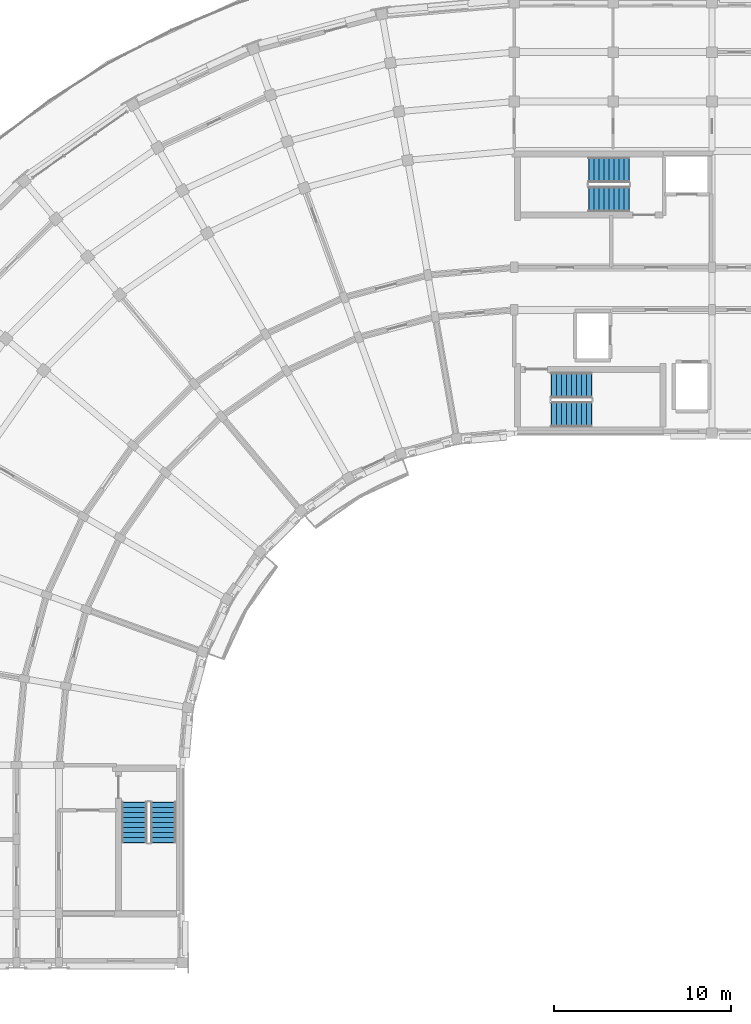
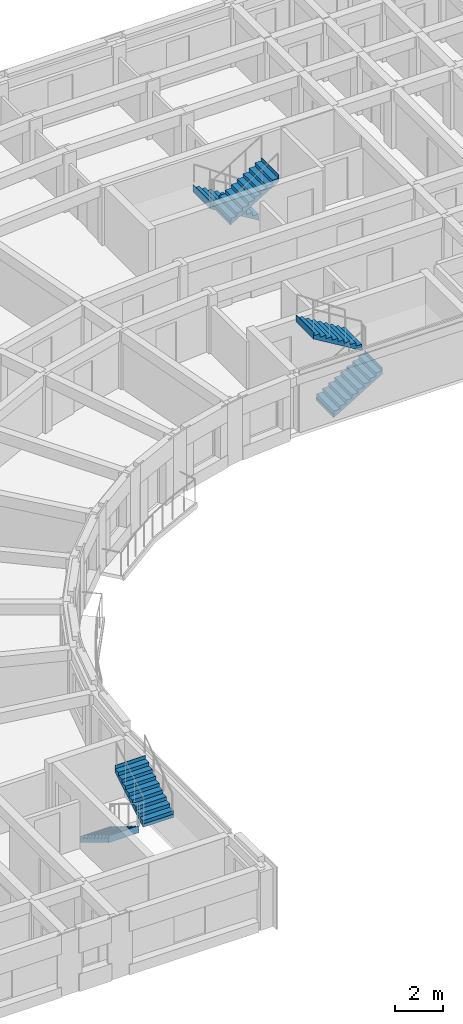
# One storey, part 22 of 32: 6 stair flights, 3 elements without a shape of their own.
"""IFC4 building model written with IfcOpenShell, lengths in metres."""

from ifc_helpers import new_model, si_unit, direction, frame, origin, place, context, subcontext, project, spatial, polyline, outline, extrude, material, type_object, element, aggregate, save


model = new_model("IFC4")

# Units and contexts
model_context = context("Model", 3, precision=1e-05, world=origin(), true_north=direction((0.0, 1.0)))
body_context = subcontext(model_context, "Body", "Model", "MODEL_VIEW")
ifc_project = project(units=[si_unit("LENGTHUNIT", "METRE"), si_unit("AREAUNIT", "SQUARE_METRE"), si_unit("VOLUMEUNIT", "CUBIC_METRE"), si_unit("PLANEANGLEUNIT", "RADIAN"), si_unit("MASSUNIT", "GRAM", prefix="KILO")], contexts=[model_context])

# Site, building, storey
site_placement = place(None, origin())
site = spatial("IfcSite", under=ifc_project, at=site_placement, CompositionType="ELEMENT")
building_placement = place(site_placement, origin())
building = spatial("IfcBuilding", under=site, at=building_placement, Name="Kiranvali Square Residences", CompositionType="ELEMENT")
storey_placement = place(building_placement, frame((0.0, 0.0, 40.199951171875)))
storey = spatial("IfcBuildingStorey", under=building, at=storey_placement, Name="L12", CompositionType="ELEMENT", Elevation=40.199951171875)

# Stair, stair flights
ifc_material = material(Name="Concrete M35 (35 MPa)", Category="concrete")
stair_type = type_object("IfcStairType", Name="ST-CORE-1700", PredefinedType="HALF_TURN_STAIR", material=ifc_material)
stair_1_placement = place(storey_placement, origin())
stair_1 = element("IfcStair", 1, at=stair_1_placement, inside=storey, type_object=stair_type, Name="L12 Block A Firefighting Exit Stair 1", PredefinedType="HALF_TURN_STAIR")
stair_flight_type = type_object("IfcStairFlightType", Name="STF-1700", PredefinedType="STRAIGHT", material=ifc_material)
stair_flight_1_placement = place(storey_placement, frame((54.699951171875, 121.52490234375, 0.0), z_axis=(0.0, 0.0, 1.0), x_axis=(-1.0, 0.0, 0.0)))
stair_flight_1 = element("IfcStairFlight", 2, at=stair_flight_1_placement, type_object=stair_flight_type, Name="ST-A1 flight 1", NumberOfRisers=9, NumberOfTreads=8, PredefinedType="STRAIGHT", RiserHeight=0.175, TreadLength=0.285, context=body_context, shape_type="SweptSolid", body=[
    extrude(outline(polyline([(-0.02001953125, -0.14990234375), (-0.02001953125, 0.0), (0.0, 0.0), (0.0, 0.175048828125), (0.284912109375, 0.175048828125), (0.284912109375, 0.35009765625), (0.570068359375, 0.35009765625), (0.570068359375, 0.52490234375), (0.85498046875, 0.52490234375), (0.85498046875, 0.699951171875), (1.139892578125, 0.699951171875), (1.139892578125, 0.875), (1.425048828125, 0.875), (1.425048828125, 1.050048828125), (1.7099609375, 1.050048828125), (1.7099609375, 1.22509765625), (1.9951171875, 1.22509765625), (1.9951171875, 1.39990234375), (2.280029296875, 1.39990234375), (2.280029296875, 1.574951171875), (2.300048828125, 1.574951171875), (2.300048828125, 1.22412109375), (2.280029296875, 1.22412109375), (0.0, -0.14990234375), (-0.02001953125, -0.14990234375)])), frame((0.0, 0.72509765625, 0.0), z_axis=(0.0, -1.0, 0.0), x_axis=(1.0, 0.0, 0.0)), (0.0, 0.0, 1.0), 1.449951171875),
])
stair_flight_2_placement = place(storey_placement, frame((52.419921875, 119.875, 1.574951171875), z_axis=(0.0, 0.0, 1.0), x_axis=(1.0, 0.0, 0.0)))
stair_flight_2 = element("IfcStairFlight", 3, at=stair_flight_2_placement, type_object=stair_flight_type, Name="ST-A1 flight 2", NumberOfRisers=9, NumberOfTreads=8, PredefinedType="STRAIGHT", RiserHeight=0.175, TreadLength=0.285, context=body_context, shape_type="SweptSolid", body=[
    extrude(outline(polyline([(-0.02001953125, -0.14990234375), (-0.02001953125, 0.0), (0.0, 0.0), (0.0, 0.175048828125), (0.284912109375, 0.175048828125), (0.284912109375, 0.35009765625), (0.570068359375, 0.35009765625), (0.570068359375, 0.52490234375), (0.85498046875, 0.52490234375), (0.85498046875, 0.699951171875), (1.139892578125, 0.699951171875), (1.139892578125, 0.875), (1.425048828125, 0.875), (1.425048828125, 1.050048828125), (1.7099609375, 1.050048828125), (1.7099609375, 1.22509765625), (1.9951171875, 1.22509765625), (1.9951171875, 1.39990234375), (2.280029296875, 1.39990234375), (2.280029296875, 1.574951171875), (2.300048828125, 1.574951171875), (2.300048828125, 1.22412109375), (2.280029296875, 1.22412109375), (0.0, -0.14990234375), (-0.02001953125, -0.14990234375)])), frame((0.0, 0.72509765625, 0.0), z_axis=(0.0, -1.0, 0.0), x_axis=(1.0, 0.0, 0.0)), (0.0, 0.0, 1.0), 1.449951171875),
])
aggregate(stair_1, [stair_flight_1, stair_flight_2])

stair_2_placement = place(storey_placement, origin())
stair_2 = element("IfcStair", 4, at=stair_2_placement, inside=storey, type_object=stair_type, Name="L12 Block A Protected Exit Stair 2", PredefinedType="HALF_TURN_STAIR")
stair_flight_3_placement = place(storey_placement, frame((50.300048828125, 107.675048828125, 0.0), z_axis=(0.0, 0.0, 1.0), x_axis=(1.0, 0.0, 0.0)))
stair_flight_3 = element("IfcStairFlight", 5, at=stair_flight_3_placement, type_object=stair_flight_type, Name="ST-A2 flight 1", NumberOfRisers=9, NumberOfTreads=8, PredefinedType="STRAIGHT", RiserHeight=0.175, TreadLength=0.285, context=body_context, shape_type="SweptSolid", body=[
    extrude(outline(polyline([(-0.02001953125, -0.14990234375), (-0.02001953125, 0.0), (0.0, 0.0), (0.0, 0.175048828125), (0.284912109375, 0.175048828125), (0.284912109375, 0.35009765625), (0.570068359375, 0.35009765625), (0.570068359375, 0.52490234375), (0.85498046875, 0.52490234375), (0.85498046875, 0.699951171875), (1.139892578125, 0.699951171875), (1.139892578125, 0.875), (1.425048828125, 0.875), (1.425048828125, 1.050048828125), (1.7099609375, 1.050048828125), (1.7099609375, 1.22509765625), (1.9951171875, 1.22509765625), (1.9951171875, 1.39990234375), (2.280029296875, 1.39990234375), (2.280029296875, 1.574951171875), (2.300048828125, 1.574951171875), (2.300048828125, 1.22412109375), (2.280029296875, 1.22412109375), (0.0, -0.14990234375), (-0.02001953125, -0.14990234375)])), frame((0.0, 0.72509765625, 0.0), z_axis=(0.0, -1.0, 0.0), x_axis=(1.0, 0.0, 0.0)), (0.0, 0.0, 1.0), 1.449951171875),
])
stair_flight_4_placement = place(storey_placement, frame((52.580078125, 109.324951171875, 1.574951171875), z_axis=(0.0, 0.0, 1.0), x_axis=(-1.0, 0.0, 0.0)))
stair_flight_4 = element("IfcStairFlight", 6, at=stair_flight_4_placement, type_object=stair_flight_type, Name="ST-A2 flight 2", NumberOfRisers=9, NumberOfTreads=8, PredefinedType="STRAIGHT", RiserHeight=0.175, TreadLength=0.285, context=body_context, shape_type="SweptSolid", body=[
    extrude(outline(polyline([(-0.02001953125, -0.14990234375), (-0.02001953125, 0.0), (0.0, 0.0), (0.0, 0.175048828125), (0.284912109375, 0.175048828125), (0.284912109375, 0.35009765625), (0.570068359375, 0.35009765625), (0.570068359375, 0.52490234375), (0.85498046875, 0.52490234375), (0.85498046875, 0.699951171875), (1.139892578125, 0.699951171875), (1.139892578125, 0.875), (1.425048828125, 0.875), (1.425048828125, 1.050048828125), (1.7099609375, 1.050048828125), (1.7099609375, 1.22509765625), (1.9951171875, 1.22509765625), (1.9951171875, 1.39990234375), (2.280029296875, 1.39990234375), (2.280029296875, 1.574951171875), (2.300048828125, 1.574951171875), (2.300048828125, 1.22412109375), (2.280029296875, 1.22412109375), (0.0, -0.14990234375), (-0.02001953125, -0.14990234375)])), frame((0.0, 0.72509765625, 0.0), z_axis=(0.0, -1.0, 0.0), x_axis=(1.0, 0.0, 0.0)), (0.0, 0.0, 1.0), 1.449951171875),
])
aggregate(stair_2, [stair_flight_3, stair_flight_4])

stair_3_placement = place(storey_placement, origin())
stair_3 = element("IfcStair", 7, at=stair_3_placement, inside=storey, type_object=stair_type, Name="L12 Block A Wing Protected Exit Stair 3", PredefinedType="HALF_TURN_STAIR")
stair_flight_5_placement = place(storey_placement, frame((26.675048828125, 85.699951171875, 0.0), z_axis=(0.0, 0.0, 1.0), x_axis=(0.0, -1.0, 0.0)))
stair_flight_5 = element("IfcStairFlight", 8, at=stair_flight_5_placement, type_object=stair_flight_type, Name="ST-A3 flight 1", NumberOfRisers=9, NumberOfTreads=8, PredefinedType="STRAIGHT", RiserHeight=0.175, TreadLength=0.285, context=body_context, shape_type="SweptSolid", body=[
    extrude(outline(polyline([(-0.02001953125, -0.14990234375), (-0.02001953125, 0.0), (0.0, 0.0), (0.0, 0.175048828125), (0.284912109375, 0.175048828125), (0.284912109375, 0.35009765625), (0.570068359375, 0.35009765625), (0.570068359375, 0.52490234375), (0.85498046875, 0.52490234375), (0.85498046875, 0.699951171875), (1.139892578125, 0.699951171875), (1.139892578125, 0.875), (1.425048828125, 0.875), (1.425048828125, 1.050048828125), (1.7099609375, 1.050048828125), (1.7099609375, 1.22509765625), (1.9951171875, 1.22509765625), (1.9951171875, 1.39990234375), (2.280029296875, 1.39990234375), (2.280029296875, 1.574951171875), (2.300048828125, 1.574951171875), (2.300048828125, 1.22412109375), (2.280029296875, 1.22412109375), (0.0, -0.14990234375), (-0.02001953125, -0.14990234375)])), frame((0.0, 0.72509765625, 0.0), z_axis=(0.0, -1.0, 0.0), x_axis=(1.0, 0.0, 0.0)), (0.0, 0.0, 1.0), 1.449951171875),
])
stair_flight_6_placement = place(storey_placement, frame((28.324951171875, 83.419921875, 1.574951171875), z_axis=(0.0, 0.0, 1.0), x_axis=(0.0, 1.0, 0.0)))
stair_flight_6 = element("IfcStairFlight", 9, at=stair_flight_6_placement, type_object=stair_flight_type, Name="ST-A3 flight 2", NumberOfRisers=9, NumberOfTreads=8, PredefinedType="STRAIGHT", RiserHeight=0.175, TreadLength=0.285, context=body_context, shape_type="SweptSolid", body=[
    extrude(outline(polyline([(-0.02001953125, -0.14990234375), (-0.02001953125, 0.0), (0.0, 0.0), (0.0, 0.175048828125), (0.284912109375, 0.175048828125), (0.284912109375, 0.35009765625), (0.570068359375, 0.35009765625), (0.570068359375, 0.52490234375), (0.85498046875, 0.52490234375), (0.85498046875, 0.699951171875), (1.139892578125, 0.699951171875), (1.139892578125, 0.875), (1.425048828125, 0.875), (1.425048828125, 1.050048828125), (1.7099609375, 1.050048828125), (1.7099609375, 1.22509765625), (1.9951171875, 1.22509765625), (1.9951171875, 1.39990234375), (2.280029296875, 1.39990234375), (2.280029296875, 1.574951171875), (2.300048828125, 1.574951171875), (2.300048828125, 1.22412109375), (2.280029296875, 1.22412109375), (0.0, -0.14990234375), (-0.02001953125, -0.14990234375)])), frame((0.0, 0.72509765625, 0.0), z_axis=(0.0, -1.0, 0.0), x_axis=(1.0, 0.0, 0.0)), (0.0, 0.0, 1.0), 1.449951171875),
])
aggregate(stair_3, [stair_flight_5, stair_flight_6])

save(model, "model.ifc")
